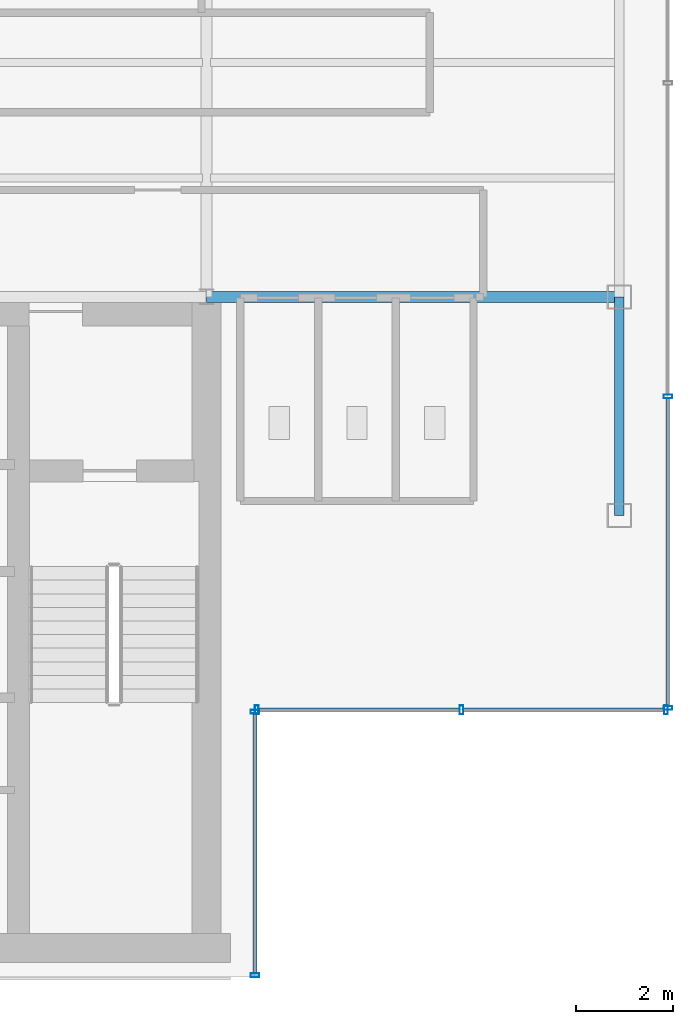
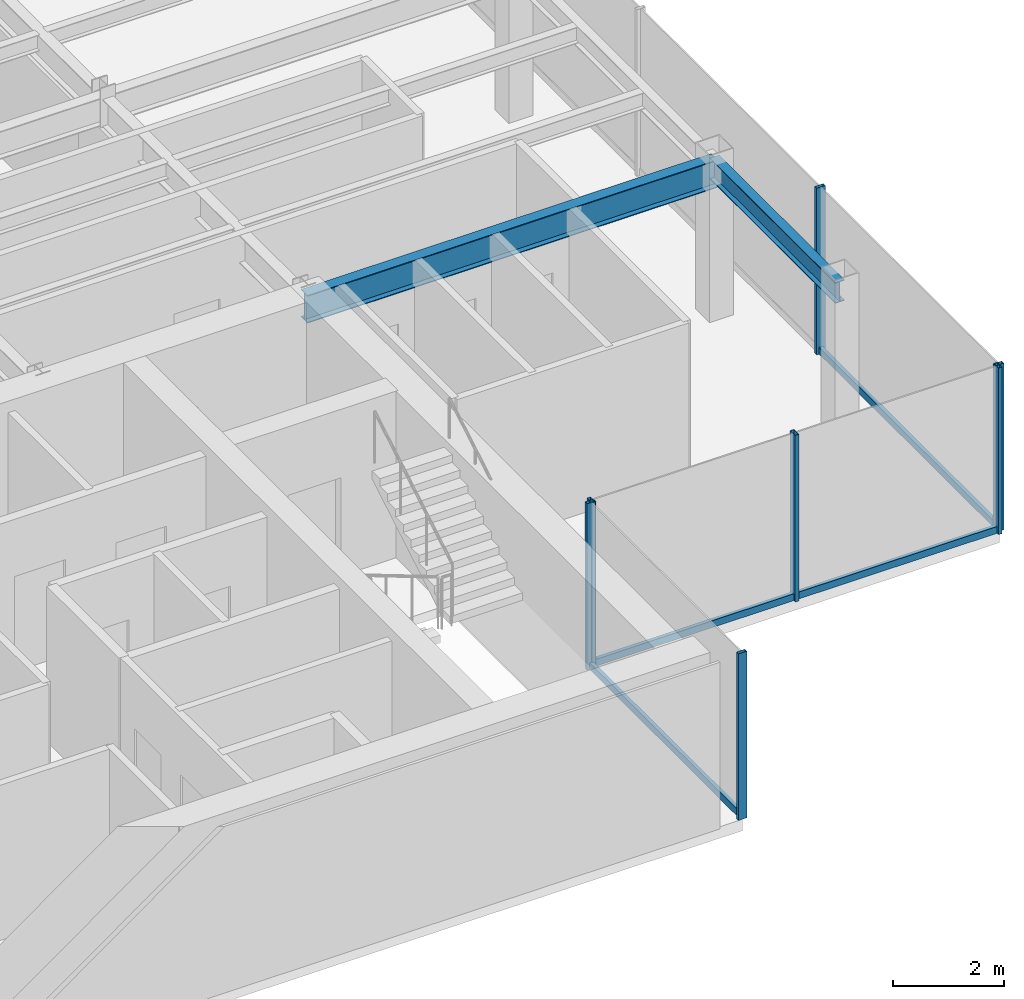
# One storey, part 9 of 22: 11 members, 2 beams, 3 elements without a shape of their own.
"""IFC4 building model written with IfcOpenShell, lengths in metres."""

from ifc_helpers import new_model, si_unit, derived_unit, direction, frame, origin, origin_2d, place, context, subcontext, project, spatial, hollow_rectangle, i_section, extrude, source, transform, mapped, material, material_profile, profile_set, type_object, element, aggregate, save


model = new_model("IFC4")

# Units and contexts
model_context = context("Model", 3, precision=1e-05, world=origin(), true_north=direction((0.0, 1.0)))
body_context = subcontext(model_context, "Body", "Model", "MODEL_VIEW")
ifc_project = project(units=[si_unit("LENGTHUNIT", "METRE"), si_unit("AREAUNIT", "SQUARE_METRE"), si_unit("VOLUMEUNIT", "CUBIC_METRE"), si_unit("PLANEANGLEUNIT", "RADIAN"), si_unit("MASSUNIT", "GRAM", prefix="KILO"), derived_unit("THERMALTRANSMITTANCEUNIT", [(si_unit("POWERUNIT", "WATT"), 1), (si_unit("LENGTHUNIT", "METRE"), -2), (si_unit("THERMODYNAMICTEMPERATUREUNIT", "KELVIN"), -1)])], contexts=[model_context])

# Site, building, storey
site_placement = place(None, origin())
site = spatial("IfcSite", under=ifc_project, at=site_placement, CompositionType="ELEMENT")
building_placement = place(site_placement, origin())
building = spatial("IfcBuilding", under=site, at=building_placement, Name="Skarnbrae Concourse Arena and Tower", CompositionType="ELEMENT")
storey_placement = place(building_placement, frame((0.0, 0.0, 217.800048828125)))
storey = spatial("IfcBuildingStorey", under=building, at=storey_placement, Name="L56", CompositionType="ELEMENT", Elevation=217.800048828125)

# Beams
ifc_material_1 = material(Name="Steel CSA G40.21 350W", Category="steel")
ifc_material_profile_1 = material_profile(ifc_material_1, i_section(OverallWidth=0.22802734375, OverallDepth=0.60791015625, WebThickness=0.01123046875, FlangeThickness=0.017333984375, at=origin_2d()), Name="W610X113")
ifc_profile_set_1 = profile_set([ifc_material_profile_1], Name="Steel CSA G40.21 350W")
beam_type_1 = type_object("IfcBeamType", Name="BM-GIRD-W610X113", PredefinedType="BEAM", material=ifc_profile_set_1)
shared_shape_1 = source(origin(), body_context, "Body", "SweptSolid", [
    extrude(i_section(OverallWidth=0.22802734375, OverallDepth=0.60791015625, WebThickness=0.01123046875, FlangeThickness=0.017333984375, at=origin_2d()), origin(), (0.0, 0.0, 1.0), 8.5),
])
beam_1_placement = place(storey_placement, frame((33.5, 14.0, 3.095947265625), z_axis=(1.0, 0.0, 0.0), x_axis=(0.0, 1.0, 0.0)))
element("IfcBeam", 1, at=beam_1_placement, inside=storey, type_object=beam_type_1, Name="L56 Primary E-W girder Y14.0-6", PredefinedType="BEAM", context=body_context, shape_type="MappedRepresentation", body=[
    mapped(shared_shape_1, transform((0.0, 0.0, 0.0))),
])
ifc_material_profile_2 = material_profile(ifc_material_1, i_section(OverallWidth=0.19091796875, OverallDepth=0.4599609375, WebThickness=0.010009765625, FlangeThickness=0.01611328125, at=origin_2d()), Name="W460X82")
ifc_profile_set_2 = profile_set([ifc_material_profile_2], Name="Steel CSA G40.21 350W")
beam_type_2 = type_object("IfcBeamType", Name="BM-SPAN-W460X82", PredefinedType="SPANDREL", material=ifc_profile_set_2)
shared_shape_2 = source(origin(), body_context, "Body", "SweptSolid", [
    extrude(i_section(OverallWidth=0.19091796875, OverallDepth=0.4599609375, WebThickness=0.010009765625, FlangeThickness=0.01611328125, at=origin_2d()), origin(), (0.0, 0.0, 1.0), 4.5),
])
beam_2_placement = place(storey_placement, frame((42.0, 9.5, 3.169921875), z_axis=(0.0, 1.0, 0.0), x_axis=(-1.0, 0.0, 0.0)))
element("IfcBeam", 2, at=beam_2_placement, inside=storey, type_object=beam_type_2, Name="L56 Perimeter spandrel X42.0-1", PredefinedType="SPANDREL", context=body_context, shape_type="MappedRepresentation", body=[
    mapped(shared_shape_2, transform((0.0, 0.0, 0.0))),
])

# Curtain wall, members
ifc_material_2 = material(Name="Bronze anodised aluminium 6063-T6", Category="aluminium")
curtain_wall_type = type_object("IfcCurtainWallType", Name="CW-SYS-05-HIGHZONE", PredefinedType="USERDEFINED", material=ifc_material_2)
curtain_wall_1_placement = place(storey_placement, origin())
curtain_wall_1 = element("IfcCurtainWall", 3, at=curtain_wall_1_placement, inside=storey, type_object=curtain_wall_type, Name="L56 Unitised curtain wall CW-L56-E02", ObjectType="UNITISED CURTAIN WALL", PredefinedType="USERDEFINED")
ifc_material_profile_3 = material_profile(ifc_material_2, hollow_rectangle(XDim=0.074951171875, YDim=0.179931640625, WallThickness=0.00390625, at=origin_2d()), Name="ALU-MULL-75X180")
ifc_profile_set_3 = profile_set([ifc_material_profile_3], Name="Bronze anodised aluminium 6063-T6")
member_type_1 = type_object("IfcMemberType", Name="CWM-CW-05", PredefinedType="MULLION", material=ifc_profile_set_3)
shared_shape_3 = source(origin(), body_context, "Body", "SweptSolid", [
    extrude(hollow_rectangle(XDim=0.074951171875, YDim=0.179931640625, WallThickness=0.00390625, at=origin_2d()), origin(), (0.0, 0.0, 1.0), 3.64990234375),
])
member_1_placement = place(storey_placement, frame((34.5, 0.03759765625, 0.0), z_axis=(0.0, 0.0, 1.0), x_axis=(0.0, 1.0, 0.0)))
member_1 = element("IfcMember", 4, at=member_1_placement, type_object=member_type_1, Name="CW-L56-E02 Mullion 1", PredefinedType="MULLION", context=body_context, shape_type="MappedRepresentation", body=[
    mapped(shared_shape_3, transform((0.0, 0.0, 0.0))),
])
member_2_placement = place(storey_placement, frame((34.5, 5.46240234375, 0.0), z_axis=(0.0, 0.0, 1.0), x_axis=(0.0, 1.0, 0.0)))
member_2 = element("IfcMember", 5, at=member_2_placement, type_object=member_type_1, Name="CW-L56-E02 Mullion 2", PredefinedType="MULLION", context=body_context, shape_type="MappedRepresentation", body=[
    mapped(shared_shape_3, transform((0.0, 0.0, 0.0))),
])

curtain_wall_2_placement = place(storey_placement, origin())
curtain_wall_2 = element("IfcCurtainWall", 6, at=curtain_wall_2_placement, inside=storey, type_object=curtain_wall_type, Name="L56 Unitised curtain wall CW-L56-E03", ObjectType="UNITISED CURTAIN WALL", PredefinedType="USERDEFINED")
member_3_placement = place(storey_placement, frame((34.53759765625, 5.5, 0.0), z_axis=(0.0, 0.0, 1.0), x_axis=(1.0, 0.0, 0.0)))
member_3 = element("IfcMember", 7, at=member_3_placement, type_object=member_type_1, Name="CW-L56-E03 Mullion 1", PredefinedType="MULLION", context=body_context, shape_type="MappedRepresentation", body=[
    mapped(shared_shape_3, transform((0.0, 0.0, 0.0))),
])
member_4_placement = place(storey_placement, frame((38.75, 5.5, 0.0), z_axis=(0.0, 0.0, 1.0), x_axis=(1.0, 0.0, 0.0)))
member_4 = element("IfcMember", 8, at=member_4_placement, type_object=member_type_1, Name="CW-L56-E03 Mullion 2", PredefinedType="MULLION", context=body_context, shape_type="MappedRepresentation", body=[
    mapped(shared_shape_3, transform((0.0, 0.0, 0.0))),
])
member_5_placement = place(storey_placement, frame((42.96240234375, 5.5, 0.0), z_axis=(0.0, 0.0, 1.0), x_axis=(1.0, 0.0, 0.0)))
member_5 = element("IfcMember", 9, at=member_5_placement, type_object=member_type_1, Name="CW-L56-E03 Mullion 3", PredefinedType="MULLION", context=body_context, shape_type="MappedRepresentation", body=[
    mapped(shared_shape_3, transform((0.0, 0.0, 0.0))),
])

curtain_wall_3_placement = place(storey_placement, origin())
curtain_wall_3 = element("IfcCurtainWall", 10, at=curtain_wall_3_placement, inside=storey, type_object=curtain_wall_type, Name="L56 Unitised curtain wall CW-L56-E04", ObjectType="UNITISED CURTAIN WALL", PredefinedType="USERDEFINED")
member_6_placement = place(storey_placement, frame((43.0, 5.53759765625, 0.0), z_axis=(0.0, 0.0, 1.0), x_axis=(0.0, 1.0, 0.0)))
member_6 = element("IfcMember", 11, at=member_6_placement, type_object=member_type_1, Name="CW-L56-E04 Mullion 1", PredefinedType="MULLION", context=body_context, shape_type="MappedRepresentation", body=[
    mapped(shared_shape_3, transform((0.0, 0.0, 0.0))),
])
member_7_placement = place(storey_placement, frame((43.0, 11.949951171875, 0.0), z_axis=(0.0, 0.0, 1.0), x_axis=(0.0, 1.0, 0.0)))
member_7 = element("IfcMember", 12, at=member_7_placement, type_object=member_type_1, Name="CW-L56-E04 Mullion 2", PredefinedType="MULLION", context=body_context, shape_type="MappedRepresentation", body=[
    mapped(shared_shape_3, transform((0.0, 0.0, 0.0))),
])

# Member
ifc_material_profile_4 = material_profile(ifc_material_2, hollow_rectangle(XDim=0.074951171875, YDim=0.14990234375, WallThickness=0.00390625, at=origin_2d()), Name="ALU-TRAN-75X150")
ifc_profile_set_4 = profile_set([ifc_material_profile_4], Name="Bronze anodised aluminium 6063-T6")
member_type_2 = type_object("IfcMemberType", Name="CWT-CW-05", PredefinedType="USERDEFINED", material=ifc_profile_set_4)
shared_shape_4 = source(origin(), body_context, "Body", "SweptSolid", [
    extrude(hollow_rectangle(XDim=0.074951171875, YDim=0.14990234375, WallThickness=0.00390625, at=origin_2d()), origin(), (0.0, 0.0, 1.0), 5.35009765625),
])
member_8_placement = place(storey_placement, frame((34.5, 0.074951171875, 0.074951171875), z_axis=(0.0, 1.0, 0.0), x_axis=(-1.0, 0.0, 0.0)))
member_8 = element("IfcMember", 13, at=member_8_placement, type_object=member_type_2, Name="CW-L56-E02 Transom 1", ObjectType="TRANSOM", PredefinedType="USERDEFINED", context=body_context, shape_type="MappedRepresentation", body=[
    mapped(shared_shape_4, transform((0.0, 0.0, 0.0))),
])

aggregate(curtain_wall_1, [member_1, member_2, member_8])

shared_shape_5 = source(origin(), body_context, "Body", "SweptSolid", [
    extrude(hollow_rectangle(XDim=0.074951171875, YDim=0.14990234375, WallThickness=0.00390625, at=origin_2d()), origin(), (0.0, 0.0, 1.0), 4.137451171875),
])
member_9_placement = place(storey_placement, frame((34.574951171875, 5.5, 0.074951171875), z_axis=(1.0, 0.0, 0.0), x_axis=(0.0, 1.0, 0.0)))
member_9 = element("IfcMember", 14, at=member_9_placement, type_object=member_type_2, Name="CW-L56-E03 Transom 1", ObjectType="TRANSOM", PredefinedType="USERDEFINED", context=body_context, shape_type="MappedRepresentation", body=[
    mapped(shared_shape_5, transform((0.0, 0.0, 0.0))),
])

member_10_placement = place(storey_placement, frame((38.78759765625, 5.5, 0.074951171875), z_axis=(1.0, 0.0, 0.0), x_axis=(0.0, 1.0, 0.0)))
member_10 = element("IfcMember", 15, at=member_10_placement, type_object=member_type_2, Name="CW-L56-E03 Transom 2", ObjectType="TRANSOM", PredefinedType="USERDEFINED", context=body_context, shape_type="MappedRepresentation", body=[
    mapped(shared_shape_5, transform((0.0, 0.0, 0.0))),
])

aggregate(curtain_wall_2, [member_3, member_4, member_5, member_9, member_10])

shared_shape_6 = source(origin(), body_context, "Body", "SweptSolid", [
    extrude(hollow_rectangle(XDim=0.074951171875, YDim=0.14990234375, WallThickness=0.00390625, at=origin_2d()), origin(), (0.0, 0.0, 1.0), 6.337646484375),
])
member_11_placement = place(storey_placement, frame((43.0, 5.574951171875, 0.074951171875), z_axis=(0.0, 1.0, 0.0), x_axis=(-1.0, 0.0, 0.0)))
member_11 = element("IfcMember", 16, at=member_11_placement, type_object=member_type_2, Name="CW-L56-E04 Transom 1", ObjectType="TRANSOM", PredefinedType="USERDEFINED", context=body_context, shape_type="MappedRepresentation", body=[
    mapped(shared_shape_6, transform((0.0, 0.0, 0.0))),
])

aggregate(curtain_wall_3, [member_6, member_7, member_11])

save(model, "model.ifc")
